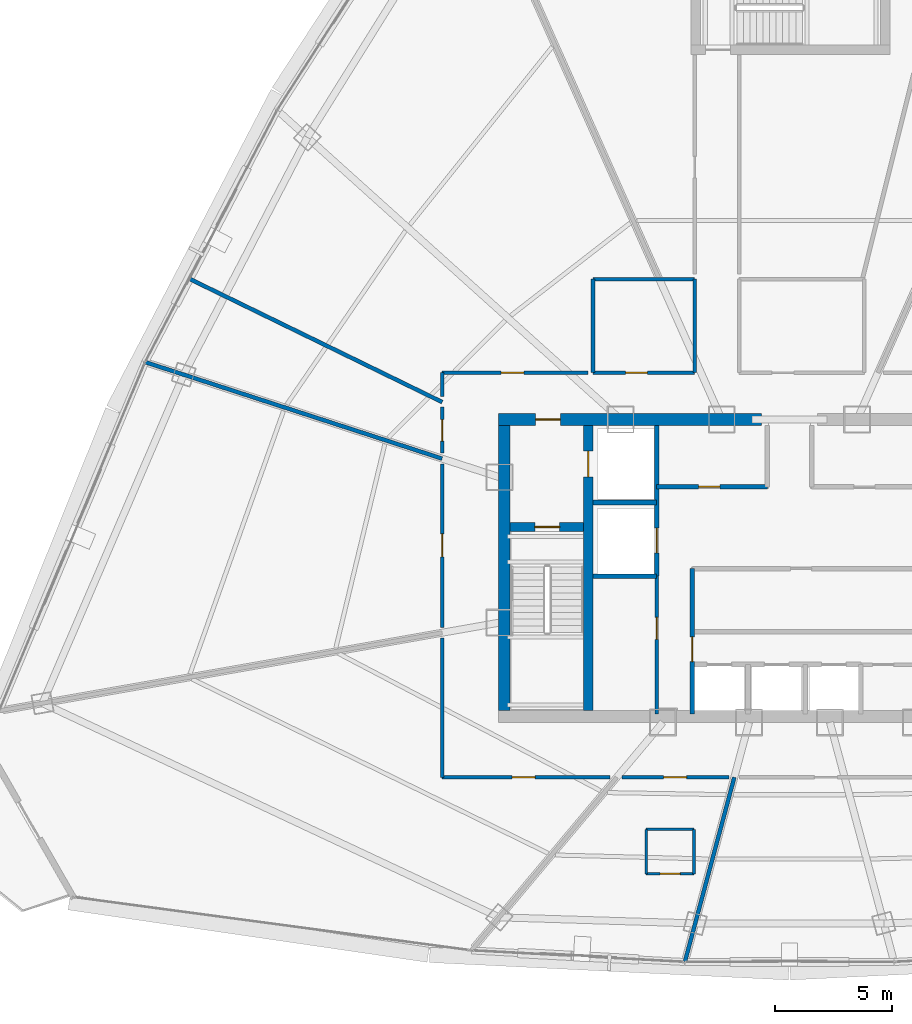
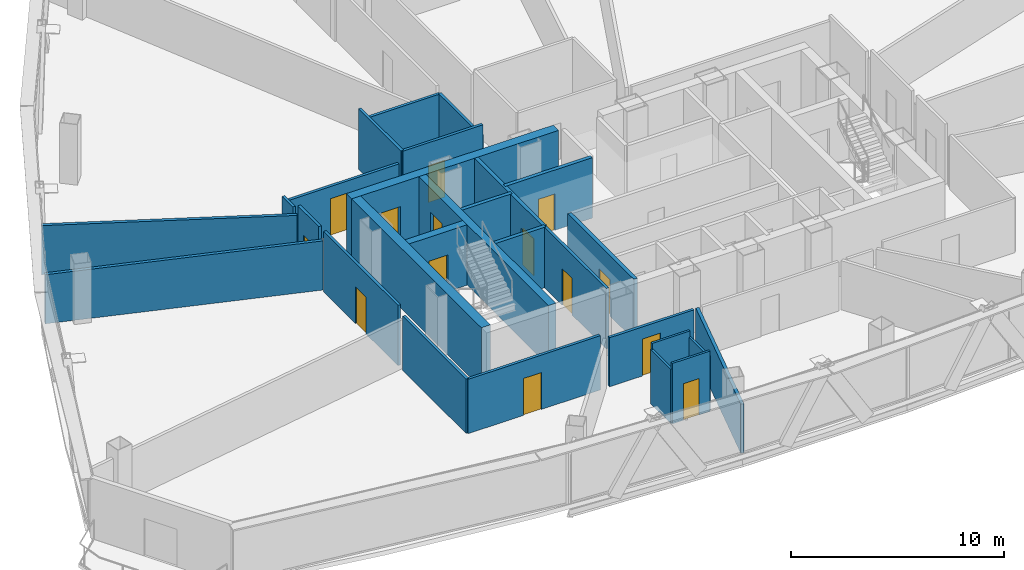
# One storey, part 30 of 37: 28 walls, 14 doors, 14 openings.
"""IFC4 building model written with IfcOpenShell, lengths in metres."""

from ifc_helpers import new_model, si_unit, direction, frame, frame_2d, origin, origin_with_axes, place, context, subcontext, project, spatial, rectangle, extrude, source, transform, mapped, material, layer, layer_set, type_object, element, fill, save


model = new_model("IFC4")

# Units and contexts
model_context = context("Model", 3, precision=1e-05, world=origin(), true_north=direction((0.0, 1.0)))
body_context = subcontext(model_context, "Body", "Model", "MODEL_VIEW")
ifc_project = project(units=[si_unit("LENGTHUNIT", "METRE"), si_unit("AREAUNIT", "SQUARE_METRE"), si_unit("VOLUMEUNIT", "CUBIC_METRE"), si_unit("PLANEANGLEUNIT", "RADIAN"), si_unit("MASSUNIT", "GRAM", prefix="KILO"), si_unit("THERMODYNAMICTEMPERATUREUNIT", "KELVIN"), si_unit("POWERUNIT", "WATT")], contexts=[model_context])

# Site, building, storey
site_placement = place(None, origin())
site = spatial("IfcSite", under=ifc_project, at=site_placement, CompositionType="ELEMENT")
building_placement = place(site_placement, origin())
building = spatial("IfcBuilding", under=site, at=building_placement, Name="Yunzhuo Pagoda Commons", CompositionType="ELEMENT")
storey_placement = place(building_placement, frame((0.0, 0.0, 259.449951171875)))
storey = spatial("IfcBuildingStorey", under=building, at=storey_placement, Name="L65", CompositionType="ELEMENT", Elevation=259.449951171875)

# Wall, opening, door
ifc_material_1 = material(Name="Concrete C50", Category="concrete")
ifc_layer_1 = layer(ifc_material_1, 0.5)
ifc_layer_set_1 = layer_set([ifc_layer_1], Name="Concrete C50")
wall_type_1 = type_object("IfcWallType", Name="W-C03 Upper Core Shear Wall 500", PredefinedType="SHEAR", material=ifc_layer_set_1)
wall_1_placement = place(storey_placement, frame((35.550048828125, 40.199951171875, 0.0), z_axis=(0.0, 0.0, 1.0), x_axis=(1.0, 0.0, 0.0)))
wall_1 = element("IfcWall", 1, at=wall_1_placement, inside=storey, type_object=wall_type_1, Name="L65 core shear wall NW", PredefinedType="SHEAR", context=body_context, shape_type="SweptSolid", body=[
    extrude(rectangle(XDim=11.25, YDim=0.5, at=frame_2d((5.625, 0.0))), origin(), (0.0, 0.0, 1.0), 3.469970703125),
])
opening_1_placement = place(wall_1_placement, frame((1.60009765625, 0.0, 0.0)))
opening_1 = element("IfcOpeningElement", 2, at=opening_1_placement, cuts=wall_1, Name="Opening D-02", PredefinedType="OPENING", context=body_context, shape_type="SweptSolid", body=[
    extrude(rectangle(XDim=1.050048828125, YDim=2.10009765625, at=frame_2d((0.52490234375, 1.050048828125))), frame((0.0, 0.260009765625, 0.0), z_axis=(0.0, -1.0, 0.0), x_axis=(1.0, 0.0, 0.0)), (0.0, 0.0, 1.0), 0.52001953125),
])
ifc_material_2 = material(Name="Galvanized fire-resisting metal leaf")
door_type_1 = type_object("IfcDoorType", Name="D-02 Firefighting Lobby & Refuge Fire Door 1050x2100", OperationType="NOTDEFINED", PredefinedType="DOOR", material=ifc_material_2)
shared_shape_1 = source(origin(), body_context, "Body", "SweptSolid", [
    extrude(rectangle(XDim=1.050048828125, YDim=2.10009765625, at=frame_2d((0.52490234375, 1.050048828125))), frame((0.0, 0.02490234375, 0.0), z_axis=(0.0, -1.0, 0.0), x_axis=(1.0, 0.0, 0.0)), (0.0, 0.0, 1.0), 0.050048828125),
])
door_1_placement = place(opening_1_placement, frame((1.050048828125, 0.0, 0.0), z_axis=(0.0, 0.0, 1.0), x_axis=(-1.0, 0.0, 0.0)))
door_1 = element("IfcDoor", 3, at=door_1_placement, inside=storey, type_object=door_type_1, Name="L65 Firefighting Lobby 1 fire door", OperationType="SINGLE_SWING_LEFT", OverallHeight=2.10009765625, OverallWidth=1.050048828125, PredefinedType="DOOR", context=body_context, shape_type="MappedRepresentation", body=[
    mapped(shared_shape_1, transform((0.0, 0.0, 0.0), scale=1.0)),
])
fill(opening_1, door_1)

# Wall
wall_2_placement = place(storey_placement, frame((35.800048828125, 27.75, 0.0), z_axis=(0.0, 0.0, 1.0), x_axis=(0.0, 1.0, 0.0)))
element("IfcWall", 4, at=wall_2_placement, inside=storey, type_object=wall_type_1, Name="L65 core shear wall W", PredefinedType="SHEAR", context=body_context, shape_type="SweptSolid", body=[
    extrude(rectangle(XDim=12.199951171875, YDim=0.5, at=frame_2d((6.10009765625, 0.0))), origin(), (0.0, 0.0, 1.0), 3.469970703125),
])

# Wall, opening, door
ifc_material_3 = material(Name="Gypsum plasterboard on acoustic stud")
ifc_layer_2 = layer(ifc_material_3, 0.14990234375)
ifc_layer_set_2 = layer_set([ifc_layer_2], Name="Gypsum plasterboard on acoustic stud")
wall_type_2 = type_object("IfcWallType", Name="W-COR3 High-Zone Rated Corridor Wall 150", PredefinedType="PARTITIONING", material=ifc_layer_set_2)
wall_3_placement = place(storey_placement, frame((42.320068359375, 27.60009765625, 0.0), z_axis=(0.0, 0.0, 1.0), x_axis=(0.0, 1.0, 0.0)))
wall_3 = element("IfcWall", 5, at=wall_3_placement, inside=storey, type_object=wall_type_2, Name="L65 interior wall IW-L65-CSWE", PredefinedType="PARTITIONING", context=body_context, shape_type="SweptSolid", body=[
    extrude(rectangle(XDim=5.89990234375, YDim=0.14990234375, at=frame_2d((2.949951171875, 0.0))), origin(), (0.0, 0.0, 1.0), 3.469970703125),
])
opening_2_placement = place(wall_3_placement, frame((3.199951171875, 0.0, 0.0)))
opening_2 = element("IfcOpeningElement", 6, at=opening_2_placement, cuts=wall_3, Name="Opening D-11", PredefinedType="OPENING", context=body_context, shape_type="SweptSolid", body=[
    extrude(rectangle(XDim=0.93994140625, YDim=2.10009765625, at=frame_2d((0.469970703125, 1.050048828125))), frame((0.0, 0.0849609375, 0.0), z_axis=(0.0, -1.0, 0.0), x_axis=(1.0, 0.0, 0.0)), (0.0, 0.0, 1.0), 0.169921875),
])
door_type_2 = type_object("IfcDoorType", Name="D-11 Accessible Washroom Fire Door 940x2100", OperationType="NOTDEFINED", PredefinedType="DOOR", material=ifc_material_2)
shared_shape_2 = source(origin(), body_context, "Body", "SweptSolid", [
    extrude(rectangle(XDim=0.93994140625, YDim=2.10009765625, at=frame_2d((0.469970703125, 1.050048828125))), frame((0.0, 0.02490234375, 0.0), z_axis=(0.0, -1.0, 0.0), x_axis=(1.0, 0.0, 0.0)), (0.0, 0.0, 1.0), 0.050048828125),
])
door_2_placement = place(opening_2_placement, origin_with_axes())
door_2 = element("IfcDoor", 7, at=door_2_placement, inside=storey, type_object=door_type_2, Name="L65 core WC door", OperationType="SINGLE_SWING_LEFT", OverallHeight=2.10009765625, OverallWidth=0.93994140625, PredefinedType="DOOR", context=body_context, shape_type="MappedRepresentation", body=[
    mapped(shared_shape_2, transform((0.0, 0.0, 0.0), scale=1.0)),
])
fill(opening_2, door_2)

wall_4_placement = place(storey_placement, frame((39.60009765625, 42.199951171875, 0.0), z_axis=(0.0, 0.0, 1.0), x_axis=(1.0, 0.0, 0.0)))
wall_4 = element("IfcWall", 8, at=wall_4_placement, inside=storey, type_object=wall_type_2, Name="L65 interior wall IW-L65-TFWS", PredefinedType="PARTITIONING", context=body_context, shape_type="SweptSolid", body=[
    extrude(rectangle(XDim=4.349853515625, YDim=0.14990234375, at=frame_2d((2.1748046875, 0.0))), origin(), (0.0, 0.0, 1.0), 3.469970703125),
])
opening_3_placement = place(wall_4_placement, frame((1.39990234375, 0.0, 0.0)))
opening_3 = element("IfcOpeningElement", 9, at=opening_3_placement, cuts=wall_4, Name="Opening D-04", PredefinedType="OPENING", context=body_context, shape_type="SweptSolid", body=[
    extrude(rectangle(XDim=0.919921875, YDim=2.10009765625, at=frame_2d((0.4599609375, 1.050048828125))), frame((0.0, 0.0849609375, 0.0), z_axis=(0.0, -1.0, 0.0), x_axis=(1.0, 0.0, 0.0)), (0.0, 0.0, 1.0), 0.169921875),
])
ifc_material_4 = material(Name="Powder-coated aluminium and timber acoustic leaf", Category="wood")
door_type_3 = type_object("IfcDoorType", Name="D-04 Bedroom & Study Interior Door 920x2100", OperationType="NOTDEFINED", PredefinedType="DOOR", material=ifc_material_4)
shared_shape_3 = source(origin(), body_context, "Body", "SweptSolid", [
    extrude(rectangle(XDim=0.919921875, YDim=2.10009765625, at=frame_2d((0.4599609375, 1.050048828125))), frame((0.0, 0.02490234375, 0.0), z_axis=(0.0, -1.0, 0.0), x_axis=(1.0, 0.0, 0.0)), (0.0, 0.0, 1.0), 0.050048828125),
])
door_3_placement = place(opening_3_placement, frame((0.919921875, 0.0, 0.0), z_axis=(0.0, 0.0, 1.0), x_axis=(-1.0, 0.0, 0.0)))
door_3 = element("IfcDoor", 10, at=door_3_placement, inside=storey, type_object=door_type_3, Name="L65 laundry door", OperationType="SINGLE_SWING_LEFT", OverallHeight=2.10009765625, OverallWidth=0.919921875, PredefinedType="DOOR", context=body_context, shape_type="MappedRepresentation", body=[
    mapped(shared_shape_3, transform((0.0, 0.0, 0.0), scale=1.0)),
])
fill(opening_3, door_3)

# Walls
wall_5_placement = place(storey_placement, frame((39.60009765625, 46.199951171875, 0.0), z_axis=(0.0, 0.0, 1.0), x_axis=(1.0, 0.0, 0.0)))
element("IfcWall", 11, at=wall_5_placement, inside=storey, type_object=wall_type_2, Name="L65 interior wall IW-L65-TFWN", PredefinedType="PARTITIONING", context=body_context, shape_type="SweptSolid", body=[
    extrude(rectangle(XDim=4.349853515625, YDim=0.14990234375, at=frame_2d((2.1748046875, 0.0))), origin(), (0.0, 0.0, 1.0), 2.820068359375),
])
wall_6_placement = place(storey_placement, frame((39.60009765625, 42.199951171875, 0.0), z_axis=(0.0, 0.0, 1.0), x_axis=(0.0, 1.0, 0.0)))
element("IfcWall", 12, at=wall_6_placement, inside=storey, type_object=wall_type_2, Name="L65 interior wall IW-L65-TFWW", PredefinedType="PARTITIONING", context=body_context, shape_type="SweptSolid", body=[
    extrude(rectangle(XDim=4.0, YDim=0.14990234375, at=frame_2d((2.0, 0.0))), origin(), (0.0, 0.0, 1.0), 3.469970703125),
])
wall_7_placement = place(storey_placement, frame((43.949951171875, 42.199951171875, 0.0), z_axis=(0.0, 0.0, 1.0), x_axis=(0.0, 1.0, 0.0)))
element("IfcWall", 13, at=wall_7_placement, inside=storey, type_object=wall_type_2, Name="L65 interior wall IW-L65-TFWE", PredefinedType="PARTITIONING", context=body_context, shape_type="SweptSolid", body=[
    extrude(rectangle(XDim=4.0, YDim=0.14990234375, at=frame_2d((2.0, 0.0))), origin(), (0.0, 0.0, 1.0), 2.820068359375),
])
wall_8_placement = place(storey_placement, frame((33.14990234375, 24.89990234375, 0.0), z_axis=(0.0, 0.0, 1.0), x_axis=(0.0, 1.0, 0.0)))
element("IfcWall", 14, at=wall_8_placement, inside=storey, type_object=wall_type_2, Name="L65 interior wall IW-L65-CWL01", PredefinedType="PARTITIONING", context=body_context, shape_type="SweptSolid", body=[
    extrude(rectangle(XDim=5.958251953125, YDim=0.14990234375, at=frame_2d((2.97900390625, 0.0))), origin(), (0.0, 0.0, 1.0), 3.1201171875),
])

# Wall, opening, door
wall_9_placement = place(storey_placement, frame((33.14990234375, 31.30126953125, 0.0), z_axis=(0.0, 0.0, 1.0), x_axis=(0.0, 1.0, 0.0)))
wall_9 = element("IfcWall", 15, at=wall_9_placement, inside=storey, type_object=wall_type_2, Name="L65 interior wall IW-L65-CWL02", PredefinedType="PARTITIONING", context=body_context, shape_type="SweptSolid", body=[
    extrude(rectangle(XDim=7.004150390625, YDim=0.14990234375, at=frame_2d((3.501953125, 0.0))), origin(), (0.0, 0.0, 1.0), 3.469970703125),
])
opening_4_placement = place(wall_9_placement, frame((3.027099609375, 0.0, 0.0)))
opening_4 = element("IfcOpeningElement", 16, at=opening_4_placement, cuts=wall_9, Name="Opening D-08", PredefinedType="OPENING", context=body_context, shape_type="SweptSolid", body=[
    extrude(rectangle(XDim=0.97998046875, YDim=2.1201171875, at=frame_2d((0.489990234375, 1.06005859375))), frame((0.0, 0.0849609375, 0.0), z_axis=(0.0, -1.0, 0.0), x_axis=(1.0, 0.0, 0.0)), (0.0, 0.0, 1.0), 0.169921875),
])
door_type_4 = type_object("IfcDoorType", Name="D-08 High-Zone Suite Entrance Fire Door 980x2120", OperationType="NOTDEFINED", PredefinedType="DOOR", material=ifc_material_2)
shared_shape_4 = source(origin(), body_context, "Body", "SweptSolid", [
    extrude(rectangle(XDim=0.97998046875, YDim=2.1201171875, at=frame_2d((0.489990234375, 1.06005859375))), frame((0.0, 0.02490234375, 0.0), z_axis=(0.0, -1.0, 0.0), x_axis=(1.0, 0.0, 0.0)), (0.0, 0.0, 1.0), 0.050048828125),
])
door_4_placement = place(opening_4_placement, origin_with_axes())
door_4 = element("IfcDoor", 17, at=door_4_placement, inside=storey, type_object=door_type_4, Name="L65 unit 07 entrance door", OperationType="SINGLE_SWING_LEFT", OverallHeight=2.1201171875, OverallWidth=0.97998046875, PredefinedType="DOOR", context=body_context, shape_type="MappedRepresentation", body=[
    mapped(shared_shape_4, transform((0.0, 0.0, 0.0), scale=1.0)),
])
fill(opening_4, door_4)

wall_10_placement = place(storey_placement, frame((33.14990234375, 38.75634765625, 0.0), z_axis=(0.0, 0.0, 1.0), x_axis=(0.0, 1.0, 0.0)))
wall_10 = element("IfcWall", 18, at=wall_10_placement, inside=storey, type_object=wall_type_2, Name="L65 interior wall IW-L65-CWL03", PredefinedType="PARTITIONING", context=body_context, shape_type="SweptSolid", body=[
    extrude(rectangle(XDim=1.966552734375, YDim=0.14990234375, at=frame_2d((0.9833984375, 0.0))), origin(), (0.0, 0.0, 1.0), 3.469970703125),
])
opening_5_placement = place(wall_10_placement, frame((0.517578125, 0.0, 0.0)))
opening_5 = element("IfcOpeningElement", 19, at=opening_5_placement, cuts=wall_10, Name="Opening D-04", PredefinedType="OPENING", context=body_context, shape_type="SweptSolid", body=[
    extrude(rectangle(XDim=0.919921875, YDim=2.10009765625, at=frame_2d((0.4599609375, 1.050048828125))), frame((0.0, 0.0849609375, 0.0), z_axis=(0.0, -1.0, 0.0), x_axis=(1.0, 0.0, 0.0)), (0.0, 0.0, 1.0), 0.169921875),
])
door_5_placement = place(opening_5_placement, origin_with_axes())
door_5 = element("IfcDoor", 20, at=door_5_placement, inside=storey, type_object=door_type_3, Name="L65 seminar room 06 door", OperationType="SINGLE_SWING_RIGHT", OverallHeight=2.10009765625, OverallWidth=0.919921875, PredefinedType="DOOR", context=body_context, shape_type="MappedRepresentation", body=[
    mapped(shared_shape_3, transform((0.0, 0.0, 0.0), scale=1.0)),
])
fill(opening_5, door_5)

# Wall
wall_11_placement = place(storey_placement, frame((33.14990234375, 41.1875, 0.0), z_axis=(0.0, 0.0, 1.0), x_axis=(0.0, 1.0, 0.0)))
element("IfcWall", 21, at=wall_11_placement, inside=storey, type_object=wall_type_2, Name="L65 interior wall IW-L65-CWL04", PredefinedType="PARTITIONING", context=body_context, shape_type="SweptSolid", body=[
    extrude(rectangle(XDim=1.012451171875, YDim=0.14990234375, at=frame_2d((0.50634765625, 0.0))), origin(), (0.0, 0.0, 1.0), 3.1201171875),
])

# Wall, opening, door
wall_12_placement = place(storey_placement, frame((33.14990234375, 42.199951171875, 0.0), z_axis=(0.0, 0.0, 1.0), x_axis=(1.0, 0.0, 0.0)))
wall_12 = element("IfcWall", 22, at=wall_12_placement, inside=storey, type_object=wall_type_2, Name="L65 interior wall IW-L65-CWL05", PredefinedType="PARTITIONING", context=body_context, shape_type="SweptSolid", body=[
    extrude(rectangle(XDim=6.22998046875, YDim=0.14990234375, at=frame_2d((3.114990234375, 0.0))), origin(), (0.0, 0.0, 1.0), 2.820068359375),
])
opening_6_placement = place(wall_12_placement, frame((2.52001953125, 0.0, 0.0)))
opening_6 = element("IfcOpeningElement", 23, at=opening_6_placement, cuts=wall_12, Name="Opening D-08", PredefinedType="OPENING", context=body_context, shape_type="SweptSolid", body=[
    extrude(rectangle(XDim=0.97998046875, YDim=2.1201171875, at=frame_2d((0.489990234375, 1.06005859375))), frame((0.0, 0.0849609375, 0.0), z_axis=(0.0, -1.0, 0.0), x_axis=(1.0, 0.0, 0.0)), (0.0, 0.0, 1.0), 0.169921875),
])
door_6_placement = place(opening_6_placement, origin_with_axes())
door_6 = element("IfcDoor", 24, at=door_6_placement, inside=storey, type_object=door_type_4, Name="L65 Resident Co-Living Commons Hall door", OperationType="SINGLE_SWING_LEFT", OverallHeight=2.1201171875, OverallWidth=0.97998046875, PredefinedType="DOOR", context=body_context, shape_type="MappedRepresentation", body=[
    mapped(shared_shape_4, transform((0.0, 0.0, 0.0), scale=1.0)),
])
fill(opening_6, door_6)

wall_13_placement = place(storey_placement, frame((45.414306640625, 24.89990234375, 0.0), z_axis=(0.0, 0.0, 1.0), x_axis=(-1.0, 0.0, 0.0)))
wall_13 = element("IfcWall", 25, at=wall_13_placement, inside=storey, type_object=wall_type_2, Name="L65 interior wall IW-L65-CWL16", PredefinedType="PARTITIONING", context=body_context, shape_type="SweptSolid", body=[
    extrude(rectangle(XDim=4.57861328125, YDim=0.14990234375, at=frame_2d((2.289306640625, 0.0))), origin(), (0.0, 0.0, 1.0), 2.820068359375),
])
opening_7_placement = place(wall_13_placement, frame((1.810302734375, 0.0, 0.0)))
opening_7 = element("IfcOpeningElement", 26, at=opening_7_placement, cuts=wall_13, Name="Opening D-08", PredefinedType="OPENING", context=body_context, shape_type="SweptSolid", body=[
    extrude(rectangle(XDim=0.97998046875, YDim=2.1201171875, at=frame_2d((0.489990234375, 1.06005859375))), frame((0.0, 0.0849609375, 0.0), z_axis=(0.0, -1.0, 0.0), x_axis=(1.0, 0.0, 0.0)), (0.0, 0.0, 1.0), 0.169921875),
])
door_7_placement = place(opening_7_placement, origin_with_axes())
door_7 = element("IfcDoor", 27, at=door_7_placement, inside=storey, type_object=door_type_4, Name="L65 unit 09 entrance door", OperationType="SINGLE_SWING_LEFT", OverallHeight=2.1201171875, OverallWidth=0.97998046875, PredefinedType="DOOR", context=body_context, shape_type="MappedRepresentation", body=[
    mapped(shared_shape_4, transform((0.0, 0.0, 0.0), scale=1.0)),
])
fill(opening_7, door_7)

wall_14_placement = place(storey_placement, frame((40.32861328125, 24.89990234375, 0.0), z_axis=(0.0, 0.0, 1.0), x_axis=(-1.0, 0.0, 0.0)))
wall_14 = element("IfcWall", 28, at=wall_14_placement, inside=storey, type_object=wall_type_2, Name="L65 interior wall IW-L65-CWL17", PredefinedType="PARTITIONING", context=body_context, shape_type="SweptSolid", body=[
    extrude(rectangle(XDim=7.1787109375, YDim=0.14990234375, at=frame_2d((3.58935546875, 0.0))), origin(), (0.0, 0.0, 1.0), 3.1201171875),
])
opening_8_placement = place(wall_14_placement, frame((3.20068359375, 0.0, 0.0)))
opening_8 = element("IfcOpeningElement", 29, at=opening_8_placement, cuts=wall_14, Name="Opening D-08", PredefinedType="OPENING", context=body_context, shape_type="SweptSolid", body=[
    extrude(rectangle(XDim=0.97998046875, YDim=2.1201171875, at=frame_2d((0.489990234375, 1.06005859375))), frame((0.0, 0.0849609375, 0.0), z_axis=(0.0, -1.0, 0.0), x_axis=(1.0, 0.0, 0.0)), (0.0, 0.0, 1.0), 0.169921875),
])
door_8_placement = place(opening_8_placement, origin_with_axes())
door_8 = element("IfcDoor", 30, at=door_8_placement, inside=storey, type_object=door_type_4, Name="L65 unit 08 entrance door", OperationType="SINGLE_SWING_RIGHT", OverallHeight=2.1201171875, OverallWidth=0.97998046875, PredefinedType="DOOR", context=body_context, shape_type="MappedRepresentation", body=[
    mapped(shared_shape_4, transform((0.0, 0.0, 0.0), scale=1.0)),
])
fill(opening_8, door_8)

ifc_layer_3 = layer(ifc_material_3, 0.1201171875)
ifc_layer_set_3 = layer_set([ifc_layer_3], Name="Gypsum plasterboard on acoustic stud")
wall_type_3 = type_object("IfcWallType", Name="W-PRT1 Suite & Bathroom Partition 120", PredefinedType="PARTITIONING", material=ifc_layer_set_3)
wall_15_placement = place(storey_placement, frame((41.873046875, 20.777099609375, 0.0), z_axis=(0.0, 0.0, 1.0), x_axis=(1.0, 0.0, 0.0)))
wall_15 = element("IfcWall", 31, at=wall_15_placement, inside=storey, type_object=wall_type_3, Name="L65 interior wall IW-L65-B09S", PredefinedType="PARTITIONING", context=body_context, shape_type="SweptSolid", body=[
    extrude(rectangle(XDim=2.050048828125, YDim=0.1201171875, at=frame_2d((1.02490234375, 0.0))), origin(), (0.0, 0.0, 1.0), 3.469970703125),
])
opening_9_placement = place(wall_15_placement, frame((0.60009765625, 0.0, 0.0)))
opening_9 = element("IfcOpeningElement", 32, at=opening_9_placement, cuts=wall_15, Name="Opening D-05", PredefinedType="OPENING", context=body_context, shape_type="SweptSolid", body=[
    extrude(rectangle(XDim=0.85009765625, YDim=2.10009765625, at=frame_2d((0.425048828125, 1.050048828125))), frame((0.0, 0.070068359375, 0.0), z_axis=(0.0, -1.0, 0.0), x_axis=(1.0, 0.0, 0.0)), (0.0, 0.0, 1.0), 0.14013671875),
])
door_type_5 = type_object("IfcDoorType", Name="D-05 En-Suite Bathroom Door 850x2100", OperationType="NOTDEFINED", PredefinedType="DOOR", material=ifc_material_4)
shared_shape_5 = source(origin(), body_context, "Body", "SweptSolid", [
    extrude(rectangle(XDim=0.85009765625, YDim=2.10009765625, at=frame_2d((0.425048828125, 1.050048828125))), frame((0.0, 0.02490234375, 0.0), z_axis=(0.0, -1.0, 0.0), x_axis=(1.0, 0.0, 0.0)), (0.0, 0.0, 1.0), 0.050048828125),
])
door_9_placement = place(opening_9_placement, frame((0.85009765625, 0.0, 0.0), z_axis=(0.0, 0.0, 1.0), x_axis=(-1.0, 0.0, 0.0)))
door_9 = element("IfcDoor", 33, at=door_9_placement, inside=storey, type_object=door_type_5, Name="L65 unit 09 bathroom door", OperationType="SINGLE_SWING_LEFT", OverallHeight=2.10009765625, OverallWidth=0.85009765625, PredefinedType="DOOR", context=body_context, shape_type="MappedRepresentation", body=[
    mapped(shared_shape_5, transform((0.0, 0.0, 0.0), scale=1.0)),
])
fill(opening_9, door_9)

# Walls
wall_16_placement = place(storey_placement, frame((43.923095703125, 20.777099609375, 0.0), z_axis=(0.0, 0.0, 1.0), x_axis=(0.0, 1.0, 0.0)))
element("IfcWall", 34, at=wall_16_placement, inside=storey, type_object=wall_type_3, Name="L65 interior wall IW-L65-B09E", PredefinedType="PARTITIONING", context=body_context, shape_type="SweptSolid", body=[
    extrude(rectangle(XDim=1.89990234375, YDim=0.1201171875, at=frame_2d((0.949951171875, 0.0))), origin(), (0.0, 0.0, 1.0), 3.1201171875),
])
wall_17_placement = place(storey_placement, frame((43.923095703125, 22.677001953125, 0.0), z_axis=(0.0, 0.0, 1.0), x_axis=(-1.0, 0.0, 0.0)))
element("IfcWall", 35, at=wall_17_placement, inside=storey, type_object=wall_type_3, Name="L65 interior wall IW-L65-B09N", PredefinedType="PARTITIONING", context=body_context, shape_type="SweptSolid", body=[
    extrude(rectangle(XDim=2.050048828125, YDim=0.1201171875, at=frame_2d((1.02490234375, 0.0))), origin(), (0.0, 0.0, 1.0), 3.469970703125),
])
wall_18_placement = place(storey_placement, frame((41.873046875, 22.677001953125, 0.0), z_axis=(0.0, 0.0, 1.0), x_axis=(0.0, -1.0, 0.0)))
element("IfcWall", 36, at=wall_18_placement, inside=storey, type_object=wall_type_3, Name="L65 interior wall IW-L65-B09W", PredefinedType="PARTITIONING", context=body_context, shape_type="SweptSolid", body=[
    extrude(rectangle(XDim=1.89990234375, YDim=0.1201171875, at=frame_2d((0.949951171875, 0.0))), origin(), (0.0, 0.0, 1.0), 3.1201171875),
])
ifc_layer_4 = layer(ifc_material_3, 0.169921875)
ifc_layer_set_4 = layer_set([ifc_layer_4], Name="Gypsum plasterboard on acoustic stud")
wall_type_4 = type_object("IfcWallType", Name="W-PRT4 High-Zone Demising Wall 170", PredefinedType="PARTITIONING", material=ifc_layer_set_4)
wall_19_placement = place(storey_placement, frame((33.14990234375, 40.94287109375, 0.0), z_axis=(0.0, 0.0, 1.0), x_axis=(-0.89879494126, 0.438369311842, 0.0)))
element("IfcWall", 37, at=wall_19_placement, inside=storey, type_object=wall_type_4, Name="L65 interior wall IW-L65-RAD06", PredefinedType="PARTITIONING", context=body_context, shape_type="SweptSolid", body=[
    extrude(rectangle(XDim=12.04296875, YDim=0.169921875, at=frame_2d((6.021484375, 0.0))), origin(), (0.0, 0.0, 1.0), 2.820068359375),
])
wall_20_placement = place(storey_placement, frame((33.14990234375, 38.525146484375, 0.0), z_axis=(0.0, 0.0, 1.0), x_axis=(-0.951055435747, 0.30902031994, 0.0)))
element("IfcWall", 38, at=wall_20_placement, inside=storey, type_object=wall_type_4, Name="L65 interior wall IW-L65-RAD07", PredefinedType="PARTITIONING", context=body_context, shape_type="SweptSolid", body=[
    extrude(rectangle(XDim=13.349365234375, YDim=0.169921875, at=frame_2d((6.6748046875, 0.0))), origin(), (0.0, 0.0, 1.0), 2.820068359375),
])
wall_21_placement = place(storey_placement, frame((45.64208984375, 24.89990234375, 0.0), z_axis=(0.0, 0.0, 1.0), x_axis=(-0.258833622746, -0.965921920103, 0.0)))
element("IfcWall", 39, at=wall_21_placement, inside=storey, type_object=wall_type_4, Name="L65 interior wall IW-L65-RAD10", PredefinedType="PARTITIONING", context=body_context, shape_type="SweptSolid", body=[
    extrude(rectangle(XDim=8.174072265625, YDim=0.169921875, at=frame_2d((4.0869140625, 0.0))), origin(), (0.0, 0.0, 1.0), 2.820068359375),
])

# Wall, opening, door
ifc_material_5 = material(Name="Concrete C60", Category="concrete")
ifc_layer_5 = layer(ifc_material_5, 0.39990234375)
ifc_layer_set_5 = layer_set([ifc_layer_5], Name="Concrete C60")
wall_type_5 = type_object("IfcWallType", Name="W-S01 Internal Core Shear Web 400", PredefinedType="SHEAR", material=ifc_layer_set_5)
wall_22_placement = place(storey_placement, frame((39.39990234375, 27.75, 0.0), z_axis=(0.0, 0.0, 1.0), x_axis=(0.0, 1.0, 0.0)))
wall_22 = element("IfcWall", 40, at=wall_22_placement, inside=storey, type_object=wall_type_5, Name="L65 core shear wall WEBW", PredefinedType="SHEAR", context=body_context, shape_type="SweptSolid", body=[
    extrude(rectangle(XDim=12.199951171875, YDim=0.39990234375, at=frame_2d((6.10009765625, 0.0))), origin(), (0.0, 0.0, 1.0), 3.469970703125),
])
opening_10_placement = place(wall_22_placement, frame((10.0, 0.0, 0.0)))
opening_10 = element("IfcOpeningElement", 41, at=opening_10_placement, cuts=wall_22, Name="Opening LD-01", PredefinedType="OPENING", context=body_context, shape_type="SweptSolid", body=[
    extrude(rectangle(XDim=1.10009765625, YDim=2.10009765625, at=frame_2d((0.550048828125, 1.050048828125))), frame((0.0, 0.2099609375, 0.0), z_axis=(0.0, -1.0, 0.0), x_axis=(1.0, 0.0, 0.0)), (0.0, 0.0, 1.0), 0.419921875),
])
door_type_6 = type_object("IfcDoorType", Name="LD-01 Firefighting Lift Landing Door 1100x2100", OperationType="DOUBLE_DOOR_SLIDING", PredefinedType="DOOR", material=ifc_material_2)
shared_shape_6 = source(origin(), body_context, "Body", "SweptSolid", [
    extrude(rectangle(XDim=1.10009765625, YDim=2.10009765625, at=frame_2d((0.550048828125, 1.050048828125))), frame((0.0, 0.02490234375, 0.0), z_axis=(0.0, -1.0, 0.0), x_axis=(1.0, 0.0, 0.0)), (0.0, 0.0, 1.0), 0.050048828125),
])
door_10_placement = place(opening_10_placement, frame((1.10009765625, 0.0, 0.0), z_axis=(0.0, 0.0, 1.0), x_axis=(-1.0, 0.0, 0.0)))
door_10 = element("IfcDoor", 42, at=door_10_placement, inside=storey, type_object=door_type_6, Name="L65 Firefighting lift FL-1 landing door", OperationType="DOUBLE_DOOR_SLIDING", OverallHeight=2.10009765625, OverallWidth=1.10009765625, PredefinedType="DOOR", context=body_context, shape_type="MappedRepresentation", body=[
    mapped(shared_shape_6, transform((0.0, 0.0, 0.0), scale=1.0)),
])
fill(opening_10, door_10)

wall_23_placement = place(storey_placement, frame((36.050048828125, 35.60009765625, 0.0), z_axis=(0.0, 0.0, 1.0), x_axis=(1.0, 0.0, 0.0)))
wall_23 = element("IfcWall", 43, at=wall_23_placement, inside=storey, type_object=wall_type_5, Name="L65 core shear wall STW", PredefinedType="SHEAR", context=body_context, shape_type="SweptSolid", body=[
    extrude(rectangle(XDim=3.14990234375, YDim=0.39990234375, at=frame_2d((1.574951171875, 0.0))), origin(), (0.0, 0.0, 1.0), 3.469970703125),
])
opening_11_placement = place(wall_23_placement, frame((1.070068359375, 0.0, 0.0)))
opening_11 = element("IfcOpeningElement", 44, at=opening_11_placement, cuts=wall_23, Name="Opening D-01", PredefinedType="OPENING", context=body_context, shape_type="SweptSolid", body=[
    extrude(rectangle(XDim=1.050048828125, YDim=2.10009765625, at=frame_2d((0.52490234375, 1.050048828125))), frame((0.0, 0.2099609375, 0.0), z_axis=(0.0, -1.0, 0.0), x_axis=(1.0, 0.0, 0.0)), (0.0, 0.0, 1.0), 0.419921875),
])
door_type_7 = type_object("IfcDoorType", Name="D-01 Smokeproof Stair Fire Door 1050x2100", OperationType="NOTDEFINED", PredefinedType="DOOR", material=ifc_material_2)
door_11_placement = place(opening_11_placement, frame((1.050048828125, 0.0, 0.0), z_axis=(0.0, 0.0, 1.0), x_axis=(-1.0, 0.0, 0.0)))
door_11 = element("IfcDoor", 45, at=door_11_placement, inside=storey, type_object=door_type_7, Name="L65 Stair ST1 fire door", OperationType="SINGLE_SWING_LEFT", OverallHeight=2.10009765625, OverallWidth=1.050048828125, PredefinedType="DOOR", context=body_context, shape_type="MappedRepresentation", body=[
    mapped(shared_shape_1, transform((0.0, 0.0, 0.0), scale=1.0)),
])
fill(opening_11, door_11)

ifc_material_6 = material(Name="Concrete C40", Category="concrete")
ifc_layer_6 = layer(ifc_material_6, 0.199951171875)
ifc_layer_set_6 = layer_set([ifc_layer_6], Name="Concrete C40")
wall_type_6 = type_object("IfcWallType", Name="W-SHF Shaft & Stair Enclosure Wall 200", PredefinedType="SOLIDWALL", material=ifc_layer_set_6)
wall_24_placement = place(storey_placement, frame((42.320068359375, 33.5, 0.0), z_axis=(0.0, 0.0, 1.0), x_axis=(0.0, 1.0, 0.0)))
wall_24 = element("IfcWall", 46, at=wall_24_placement, inside=storey, type_object=wall_type_6, Name="L65 interior wall IW-L65-FL1E", PredefinedType="SOLIDWALL", context=body_context, shape_type="SweptSolid", body=[
    extrude(rectangle(XDim=6.449951171875, YDim=0.199951171875, at=frame_2d((3.22509765625, 0.0))), origin(), (0.0, 0.0, 1.0), 3.469970703125),
])
opening_12_placement = place(wall_24_placement, frame((1.0, 0.0, 0.0)))
opening_12 = element("IfcOpeningElement", 47, at=opening_12_placement, cuts=wall_24, Name="Opening LD-02", PredefinedType="OPENING", context=body_context, shape_type="SweptSolid", body=[
    extrude(rectangle(XDim=1.050048828125, YDim=2.10009765625, at=frame_2d((0.52490234375, 1.050048828125))), frame((0.0, 0.10986328125, 0.0), z_axis=(0.0, -1.0, 0.0), x_axis=(1.0, 0.0, 0.0)), (0.0, 0.0, 1.0), 0.219970703125),
])
door_type_8 = type_object("IfcDoorType", Name="LD-02 Passenger Lift Landing Door 1050x2100", OperationType="DOUBLE_DOOR_SLIDING", PredefinedType="DOOR", material=ifc_material_2)
door_12_placement = place(opening_12_placement, origin_with_axes())
door_12 = element("IfcDoor", 48, at=door_12_placement, inside=storey, type_object=door_type_8, Name="L65 Service lift SL-1 landing door", OperationType="DOUBLE_DOOR_SLIDING", OverallHeight=2.10009765625, OverallWidth=1.050048828125, PredefinedType="DOOR", context=body_context, shape_type="MappedRepresentation", body=[
    mapped(shared_shape_1, transform((0.0, 0.0, 0.0), scale=1.0)),
])
fill(opening_12, door_12)

# Walls
for number, where, z_axis, x_axis, name in (
    (49, (39.60009765625, 36.64990234375, 0.0), (0.0, 0.0, 1.0), (1.0, 0.0, 0.0), "L65 interior wall IW-L65-FL1S"),
    (50, (39.60009765625, 33.5, 0.0), (0.0, 0.0, 1.0), (1.0, 0.0, 0.0), "L65 interior wall IW-L65-SL1S"),
):
    element("IfcWall", number, at=place(storey_placement, frame(where, z_axis=z_axis, x_axis=x_axis)), inside=storey, type_object=wall_type_6, Name=name, PredefinedType="SOLIDWALL", context=body_context, shape_type="SweptSolid", body=[
        extrude(rectangle(XDim=2.719970703125, YDim=0.199951171875, at=frame_2d((1.35986328125, 0.0))), origin(), (0.0, 0.0, 1.0), 3.469970703125),
    ])

# Wall, opening, door
wall_25_placement = place(storey_placement, frame((42.320068359375, 37.320068359375, 0.0), z_axis=(0.0, 0.0, 1.0), x_axis=(1.0, 0.0, 0.0)))
wall_25 = element("IfcWall", 51, at=wall_25_placement, inside=storey, type_object=wall_type_6, Name="L65 interior wall IW-L65-LBNW", PredefinedType="SOLIDWALL", context=body_context, shape_type="SweptSolid", body=[
    extrude(rectangle(XDim=4.72998046875, YDim=0.199951171875, at=frame_2d((2.364990234375, 0.0))), origin(), (0.0, 0.0, 1.0), 3.469970703125),
])
opening_13_placement = place(wall_25_placement, frame((1.800048828125, 0.0, 0.0)))
opening_13 = element("IfcOpeningElement", 52, at=opening_13_placement, cuts=wall_25, Name="Opening D-03", PredefinedType="OPENING", context=body_context, shape_type="SweptSolid", body=[
    extrude(rectangle(XDim=0.89990234375, YDim=2.10009765625, at=frame_2d((0.449951171875, 1.050048828125))), frame((0.0, 0.10986328125, 0.0), z_axis=(0.0, -1.0, 0.0), x_axis=(1.0, 0.0, 0.0)), (0.0, 0.0, 1.0), 0.219970703125),
])
door_type_9 = type_object("IfcDoorType", Name="D-03 Core Service Fire Door 900x2100", OperationType="NOTDEFINED", PredefinedType="DOOR", material=ifc_material_2)
shared_shape_7 = source(origin(), body_context, "Body", "SweptSolid", [
    extrude(rectangle(XDim=0.89990234375, YDim=2.10009765625, at=frame_2d((0.449951171875, 1.050048828125))), frame((0.0, 0.02490234375, 0.0), z_axis=(0.0, -1.0, 0.0), x_axis=(1.0, 0.0, 0.0)), (0.0, 0.0, 1.0), 0.050048828125),
])
door_13_placement = place(opening_13_placement, frame((0.89990234375, 0.0, 0.0), z_axis=(0.0, 0.0, 1.0), x_axis=(-1.0, 0.0, 0.0)))
door_13 = element("IfcDoor", 53, at=door_13_placement, inside=storey, type_object=door_type_9, Name="L65 core west store door", OperationType="SINGLE_SWING_LEFT", OverallHeight=2.10009765625, OverallWidth=0.89990234375, PredefinedType="DOOR", context=body_context, shape_type="MappedRepresentation", body=[
    mapped(shared_shape_7, transform((0.0, 0.0, 0.0), scale=1.0)),
])
fill(opening_13, door_13)

wall_26_placement = place(storey_placement, frame((43.85009765625, 27.60009765625, 0.0), z_axis=(0.0, 0.0, 1.0), x_axis=(0.0, 1.0, 0.0)))
wall_26 = element("IfcWall", 54, at=wall_26_placement, inside=storey, type_object=wall_type_6, Name="L65 interior wall IW-L65-PLMW", PredefinedType="SOLIDWALL", context=body_context, shape_type="SweptSolid", body=[
    extrude(rectangle(XDim=6.219970703125, YDim=0.199951171875, at=frame_2d((3.10986328125, 0.0))), origin(), (0.0, 0.0, 1.0), 3.469970703125),
])
opening_14_placement = place(wall_26_placement, frame((2.25, 0.0, 0.0)))
opening_14 = element("IfcOpeningElement", 55, at=opening_14_placement, cuts=wall_26, Name="Opening D-02", PredefinedType="OPENING", context=body_context, shape_type="SweptSolid", body=[
    extrude(rectangle(XDim=1.050048828125, YDim=2.10009765625, at=frame_2d((0.52490234375, 1.050048828125))), frame((0.0, 0.10986328125, 0.0), z_axis=(0.0, -1.0, 0.0), x_axis=(1.0, 0.0, 0.0)), (0.0, 0.0, 1.0), 0.219970703125),
])
door_14_placement = place(opening_14_placement, frame((1.050048828125, 0.0, 0.0), z_axis=(0.0, 0.0, 1.0), x_axis=(-1.0, 0.0, 0.0)))
door_14 = element("IfcDoor", 56, at=door_14_placement, inside=storey, type_object=door_type_1, Name="L65 High-bank hall west door", OperationType="SINGLE_SWING_LEFT", OverallHeight=2.10009765625, OverallWidth=1.050048828125, PredefinedType="DOOR", context=body_context, shape_type="MappedRepresentation", body=[
    mapped(shared_shape_1, transform((0.0, 0.0, 0.0), scale=1.0)),
])
fill(opening_14, door_14)

save(model, "model.ifc")
